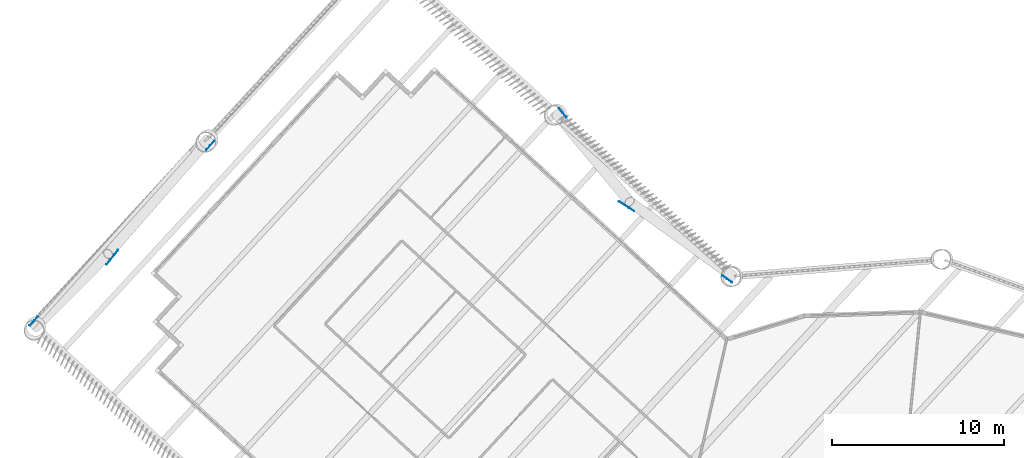
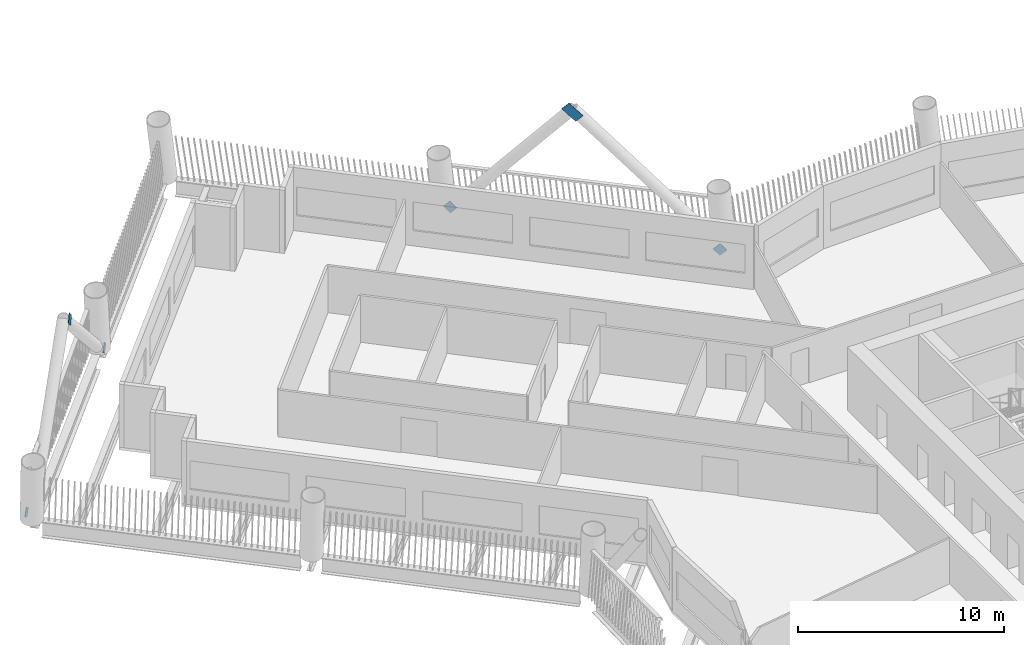
# One storey, part 12 of 24: 6 discrete accessories.
"""IFC4 building model written with IfcOpenShell, lengths in metres."""

from ifc_helpers import new_model, si_unit, direction, frame, origin, origin_2d, place, context, subcontext, project, spatial, rectangle, extrude, material, material_profile, profile_set, type_object, element, save


model = new_model("IFC4")

# Units and contexts
model_context = context("Model", 3, precision=1e-05, world=origin(), true_north=direction((0.0, 1.0)))
body_context = subcontext(model_context, "Body", "Model", "MODEL_VIEW")
ifc_project = project(units=[si_unit("LENGTHUNIT", "METRE"), si_unit("AREAUNIT", "SQUARE_METRE"), si_unit("VOLUMEUNIT", "CUBIC_METRE"), si_unit("PLANEANGLEUNIT", "RADIAN"), si_unit("MASSUNIT", "GRAM", prefix="KILO")], contexts=[model_context])

# Site, building, storey
site_placement = place(None, origin())
site = spatial("IfcSite", under=ifc_project, at=site_placement, CompositionType="ELEMENT")
building_placement = place(site_placement, origin())
building = spatial("IfcBuilding", under=site, at=building_placement, Name="Tarsis Ring Headquarters", CompositionType="ELEMENT")
storey_placement = place(building_placement, frame((0.0, 0.0, 92.800048828125)))
storey = spatial("IfcBuildingStorey", under=building, at=storey_placement, Name="L20", CompositionType="ELEMENT", Elevation=92.800048828125)

# Discrete accessories
ifc_material = material(Name="Structural steel S355", Category="steel")
ifc_material_profile = material_profile(ifc_material, rectangle(XDim=0.02490234375, YDim=0.5, at=origin_2d()), Name="PL 25x500")
ifc_profile_set = profile_set([ifc_material_profile], Name="Structural steel S355")
discrete_accessory_type = type_object("IfcDiscreteAccessoryType", Name="Gusset plate Exo brace 25", PredefinedType="BRACKET", material=ifc_profile_set)
discrete_accessory_1_placement = place(storey_placement, frame((-8.5478515625, 27.561767578125, 0.0), z_axis=(-0.557704886268, 0.402895386314, 0.72570005341), x_axis=(-0.585594213163, -0.810604353251, 0.0)))
element("IfcDiscreteAccessory", 1, at=discrete_accessory_1_placement, inside=storey, type_object=discrete_accessory_type, Name="Gusset plate GP5", PredefinedType="BRACKET", context=body_context, shape_type="SweptSolid", body=[
    extrude(rectangle(XDim=0.02490234375, YDim=0.5, at=origin_2d()), origin(), (0.0, 0.0, 1.0), 0.5),
])
discrete_accessory_2_placement = place(storey_placement, frame((-14.23828125, 31.6953125, 7.4375), z_axis=(-0.579014788652, 0.373479184923, 0.724744901984), x_axis=(-0.542046171989, -0.840348705855, 0.0)))
element("IfcDiscreteAccessory", 2, at=discrete_accessory_2_placement, inside=storey, type_object=discrete_accessory_type, Name="Gusset plate GP5", PredefinedType="BRACKET", context=body_context, shape_type="SweptSolid", body=[
    extrude(rectangle(XDim=0.02490234375, YDim=0.5, at=origin_2d()), origin(), (0.0, 0.0, 1.0), 1.000244140625),
])
discrete_accessory_3_placement = place(storey_placement, frame((-18.344970703125, 37.439208984375, 0.0), z_axis=(0.414068324614, -0.497565592903, 0.762217753211), x_axis=(0.768653911622, 0.639664884255, 0.0)))
element("IfcDiscreteAccessory", 3, at=discrete_accessory_3_placement, inside=storey, type_object=discrete_accessory_type, Name="Gusset plate GP5", PredefinedType="BRACKET", context=body_context, shape_type="SweptSolid", body=[
    extrude(rectangle(XDim=0.02490234375, YDim=0.5, at=origin_2d()), origin(), (0.0, 0.0, 1.0), 0.5),
])
discrete_accessory_4_placement = place(storey_placement, frame((-38.602294921875, 35.55712890625, 0.0), z_axis=(-0.493777914313, -0.564108299734, 0.661789390598), x_axis=(0.752455611092, -0.658642963476, 0.0)))
element("IfcDiscreteAccessory", 4, at=discrete_accessory_4_placement, inside=storey, type_object=discrete_accessory_type, Name="Gusset plate GP5", PredefinedType="BRACKET", context=body_context, shape_type="SweptSolid", body=[
    extrude(rectangle(XDim=0.02490234375, YDim=0.5, at=origin_2d()), origin(), (0.0, 0.0, 1.0), 0.499755859375),
])
discrete_accessory_5_placement = place(storey_placement, frame((-44.181396484375, 29.214599609375, 7.46923828125), z_axis=(-0.465365567639, -0.588177152383, 0.661424618434), x_axis=(0.784224022266, -0.620477785985, 0.0)))
element("IfcDiscreteAccessory", 5, at=discrete_accessory_5_placement, inside=storey, type_object=discrete_accessory_type, Name="Gusset plate GP5", PredefinedType="BRACKET", context=body_context, shape_type="SweptSolid", body=[
    extrude(rectangle(XDim=0.02490234375, YDim=0.5, at=origin_2d()), origin(), (0.0, 0.0, 1.0), 1.0),
])
discrete_accessory_6_placement = place(storey_placement, frame((-49.091552734375, 25.102294921875, 0.0), z_axis=(0.42781577813, 0.431722771538, 0.794096410091), x_axis=(-0.710313565007, 0.703885387948, 0.0)))
element("IfcDiscreteAccessory", 6, at=discrete_accessory_6_placement, inside=storey, type_object=discrete_accessory_type, Name="Gusset plate GP5", PredefinedType="BRACKET", context=body_context, shape_type="SweptSolid", body=[
    extrude(rectangle(XDim=0.02490234375, YDim=0.5, at=origin_2d()), origin(), (0.0, 0.0, 1.0), 0.5),
])

save(model, "model.ifc")
